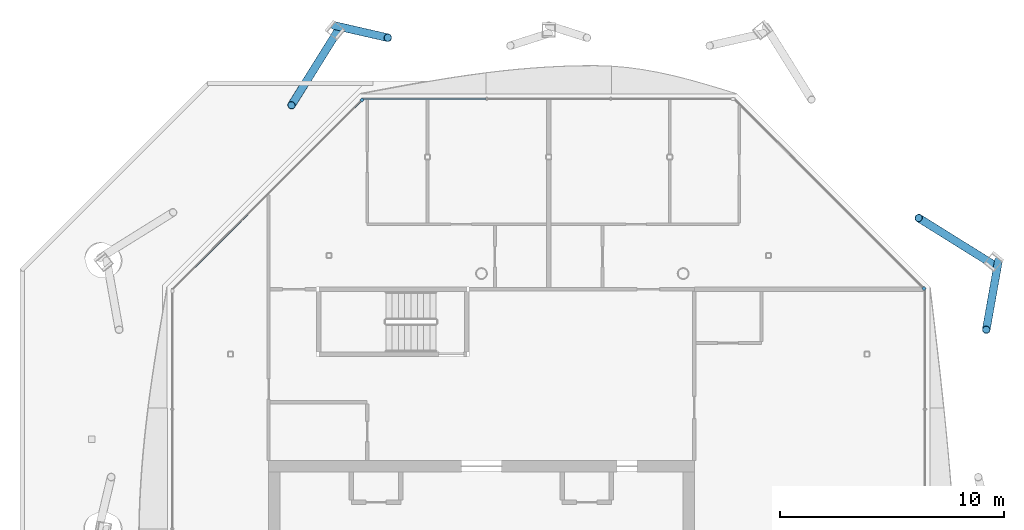
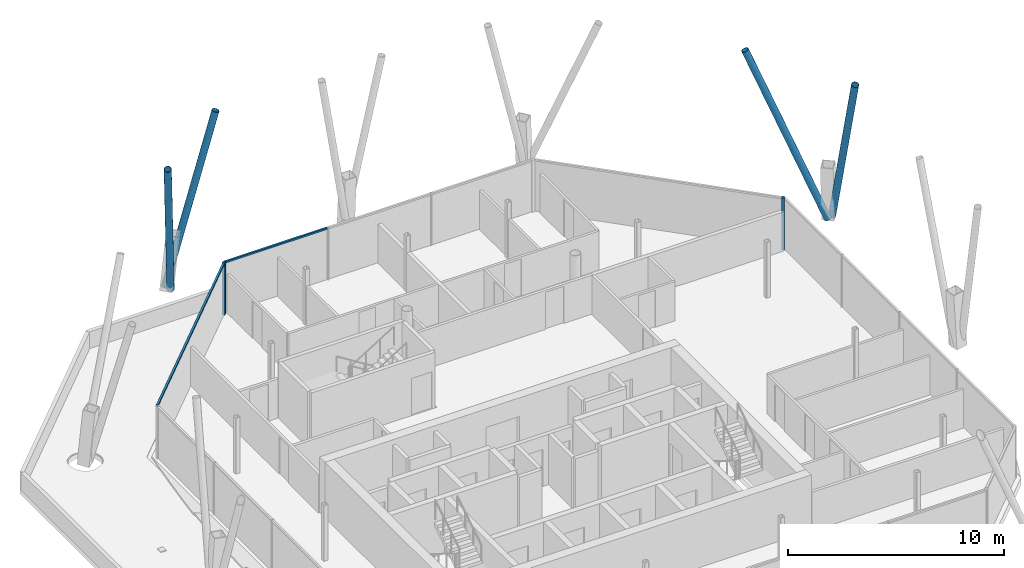
# One storey, part 7 of 17: 8 members, 3 elements without a shape of their own.
"""IFC4 building model written with IfcOpenShell, lengths in metres."""

from ifc_helpers import new_model, si_unit, direction, frame, origin, origin_2d, place, context, subcontext, project, spatial, rectangle, hollow_circle, extrude, material, material_profile, profile_set, type_object, element, aggregate, save


model = new_model("IFC4")

# Units and contexts
model_context = context("Model", 3, precision=1e-05, world=origin(), true_north=direction((0.0, 1.0)))
body_context = subcontext(model_context, "Body", "Model", "MODEL_VIEW")
ifc_project = project(units=[si_unit("LENGTHUNIT", "METRE"), si_unit("AREAUNIT", "SQUARE_METRE"), si_unit("VOLUMEUNIT", "CUBIC_METRE"), si_unit("PLANEANGLEUNIT", "RADIAN"), si_unit("MASSUNIT", "GRAM", prefix="KILO")], contexts=[model_context])

# Site, building, storey
site_placement = place(None, origin())
site = spatial("IfcSite", under=ifc_project, at=site_placement, CompositionType="ELEMENT")
building_placement = place(site_placement, origin())
building = spatial("IfcBuilding", under=site, at=building_placement, Name="Tskaro Facet Tower", CompositionType="ELEMENT")
storey_placement = place(building_placement, frame((0.0, 0.0, 259.5)))
storey = spatial("IfcBuildingStorey", under=building, at=storey_placement, Name="L68", CompositionType="ELEMENT", Elevation=259.5)

# Members
ifc_material_1 = material(Name="Steel S355J2H", Category="steel")
ifc_material_profile_1 = material_profile(ifc_material_1, hollow_circle(Radius=0.177734375, WallThickness=0.01611328125, at=origin_2d()), Name="CHS 355.6x16")
ifc_profile_set_1 = profile_set([ifc_material_profile_1], Name="Steel S355J2H")
member_type_1 = type_object("IfcMemberType", Name="CHS 355.6x16 brace", PredefinedType="BRACE", material=ifc_profile_set_1)
member_1_placement = place(storey_placement, frame((23.07080078125, 9.572021484375, 0.0), z_axis=(-0.055035696488, -0.309465427044, 0.949316712997), x_axis=(0.984551748656, -0.175093844031, 0.0)))
element("IfcMember", 1, at=member_1_placement, inside=storey, type_object=member_type_1, Name="CHS 355.6x16 XB05B/6", PredefinedType="BRACE", context=body_context, shape_type="SweptSolid", body=[
    extrude(hollow_circle(Radius=0.177734375, WallThickness=0.01611328125, at=origin_2d()), origin(), (0.0, 0.0, 1.0), 9.95458984375),
])
member_2_placement = place(storey_placement, frame((22.767333984375, 9.4462890625, 0.0), z_axis=(-0.31955632288, 0.199244037446, 0.926383057946), x_axis=(-0.529084601301, -0.848569080669, 0.0)))
element("IfcMember", 2, at=member_2_placement, inside=storey, type_object=member_type_1, Name="CHS 355.6x16 XB06A/6", PredefinedType="BRACE", context=body_context, shape_type="SweptSolid", body=[
    extrude(hollow_circle(Radius=0.177734375, WallThickness=0.01611328125, at=origin_2d()), origin(), (0.0, 0.0, 1.0), 10.200927734375),
])
member_3_placement = place(storey_placement, frame((-6.572021484375, 20.07080078125, 0.0), z_axis=(0.24510005232, -0.056111458621, 0.967872651005), x_axis=(0.223159622379, 0.974781915579, 0.0)))
element("IfcMember", 3, at=member_3_placement, inside=storey, type_object=member_type_1, Name="CHS 355.6x16 XB08B/6", PredefinedType="BRACE", context=body_context, shape_type="SweptSolid", body=[
    extrude(hollow_circle(Radius=0.177734375, WallThickness=0.01611328125, at=origin_2d()), origin(), (0.0, 0.0, 1.0), 9.763671875),
])
member_4_placement = place(storey_placement, frame((-6.4462890625, 19.767333984375, 0.0), z_axis=(-0.199244037446, -0.31955632288, 0.926383057946), x_axis=(0.848569080669, -0.529084601301, 0.0)))
element("IfcMember", 4, at=member_4_placement, inside=storey, type_object=member_type_1, Name="CHS 355.6x16 XB09A/6", PredefinedType="BRACE", context=body_context, shape_type="SweptSolid", body=[
    extrude(hollow_circle(Radius=0.177734375, WallThickness=0.01611328125, at=origin_2d()), origin(), (0.0, 0.0, 1.0), 10.200927734375),
])

# Curtain wall, member
ifc_material_2 = material(Name="Bronze anodised aluminium 6063-T6", Category="aluminium")
curtain_wall_type = type_object("IfcCurtainWallType", Name="Bronze residence curtain wall (FW3)", PredefinedType="NOTDEFINED", material=ifc_material_2)
curtain_wall_1_placement = place(storey_placement, origin())
curtain_wall_1 = element("IfcCurtainWall", 5, at=curtain_wall_1_placement, inside=storey, type_object=curtain_wall_type, Name="FW3 north-east facet L68", PredefinedType="NOTDEFINED")
ifc_material_profile_2 = material_profile(ifc_material_2, rectangle(XDim=0.139892578125, YDim=0.139892578125, at=origin_2d()), Name="Corner post 140x140")
ifc_profile_set_2 = profile_set([ifc_material_profile_2], Name="Bronze anodised aluminium 6063-T6")
member_type_2 = type_object("IfcMemberType", Name="FW3 bronze corner post 140x140", PredefinedType="MULLION", material=ifc_profile_set_2)
member_5_placement = place(storey_placement, frame((19.743408203125, 8.33642578125, 0.0), z_axis=(0.0, 0.0, 1.0), x_axis=(-0.707106781187, 0.707106781187, 0.0)))
member_5 = element("IfcMember", 6, at=member_5_placement, type_object=member_type_2, Name="FW3 north-east corner post", PredefinedType="MULLION", context=body_context, shape_type="SweptSolid", body=[
    extrude(rectangle(XDim=0.139892578125, YDim=0.139892578125, at=origin_2d()), origin(), (0.0, 0.0, 1.0), 2.949951171875),
])
aggregate(curtain_wall_1, [member_5])

curtain_wall_2_placement = place(storey_placement, origin())
curtain_wall_2 = element("IfcCurtainWall", 7, at=curtain_wall_2_placement, inside=storey, type_object=curtain_wall_type, Name="FW3 north-west facet L68", PredefinedType="NOTDEFINED")
member_6_placement = place(storey_placement, frame((-5.33642578125, 16.743408203125, 0.0), z_axis=(0.0, 0.0, 1.0), x_axis=(-0.707106781187, -0.707106781187, 0.0)))
member_6 = element("IfcMember", 8, at=member_6_placement, type_object=member_type_2, Name="FW3 north-west corner post", PredefinedType="MULLION", context=body_context, shape_type="SweptSolid", body=[
    extrude(rectangle(XDim=0.139892578125, YDim=0.139892578125, at=origin_2d()), origin(), (0.0, 0.0, 1.0), 2.949951171875),
])

curtain_wall_3_placement = place(storey_placement, origin())
curtain_wall_3 = element("IfcCurtainWall", 9, at=curtain_wall_3_placement, inside=storey, type_object=curtain_wall_type, Name="FW3 north facet L68", PredefinedType="NOTDEFINED")
ifc_material_profile_3 = material_profile(ifc_material_2, rectangle(XDim=0.10009765625, YDim=0.090087890625, at=origin_2d()), Name="Transom 100x90")
ifc_profile_set_3 = profile_set([ifc_material_profile_3], Name="Bronze anodised aluminium 6063-T6")
member_type_3 = type_object("IfcMemberType", Name="FW3 bronze transom 100x90", PredefinedType="USERDEFINED", material=ifc_profile_set_3)
member_7_placement = place(storey_placement, frame((0.212646484375, 16.79296875, 2.905029296875), z_axis=(-1.0, 0.0, 0.0), x_axis=(0.0, -1.0, 0.0)))
member_7 = element("IfcMember", 10, at=member_7_placement, type_object=member_type_3, Name="FW3 north transom 3.1", ObjectType="TRANSOM", PredefinedType="USERDEFINED", context=body_context, shape_type="SweptSolid", body=[
    extrude(rectangle(XDim=0.10009765625, YDim=0.090087890625, at=origin_2d()), origin(), (0.0, 0.0, 1.0), 5.499755859375),
])
aggregate(curtain_wall_3, [member_7])

# Member
member_8_placement = place(storey_placement, frame((-5.385986328125, 16.694091796875, 2.905029296875), z_axis=(-0.707106781187, -0.707106781187, 0.0), x_axis=(0.707106781187, -0.707106781187, 0.0)))
member_8 = element("IfcMember", 11, at=member_8_placement, type_object=member_type_3, Name="FW3 north-west transom 1.1", ObjectType="TRANSOM", PredefinedType="USERDEFINED", context=body_context, shape_type="SweptSolid", body=[
    extrude(rectangle(XDim=0.10009765625, YDim=0.090087890625, at=origin_2d()), origin(), (0.0, 0.0, 1.0), 11.88916015625),
])

aggregate(curtain_wall_2, [member_6, member_8])

save(model, "model.ifc")
